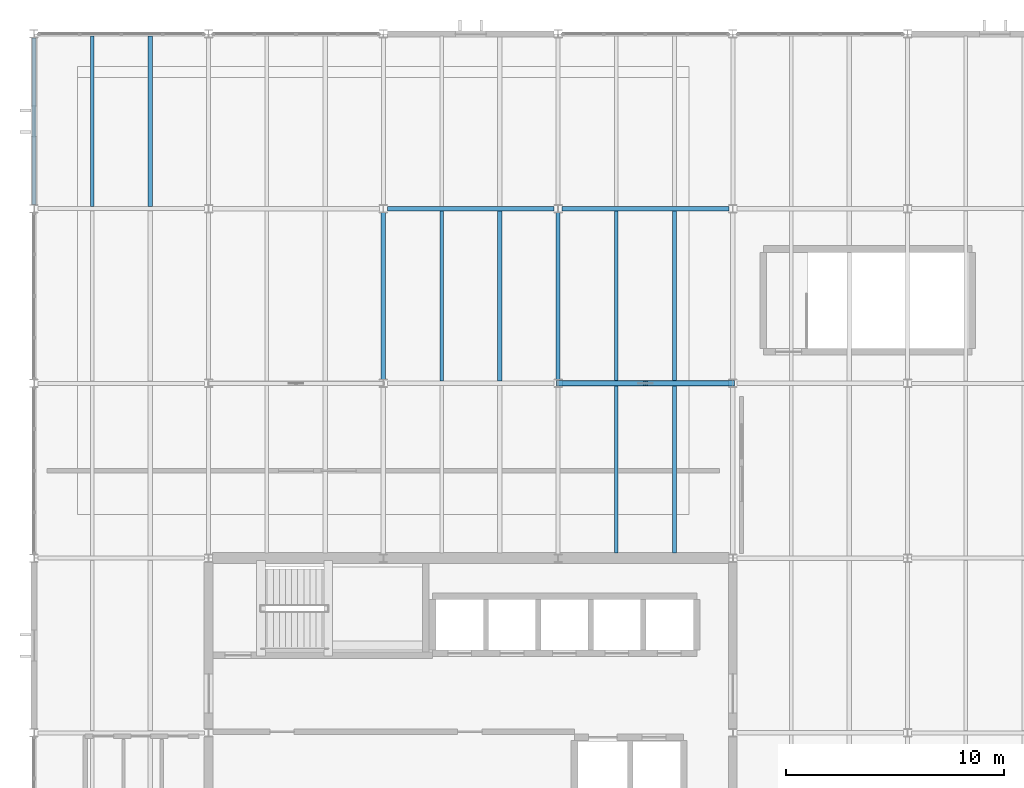
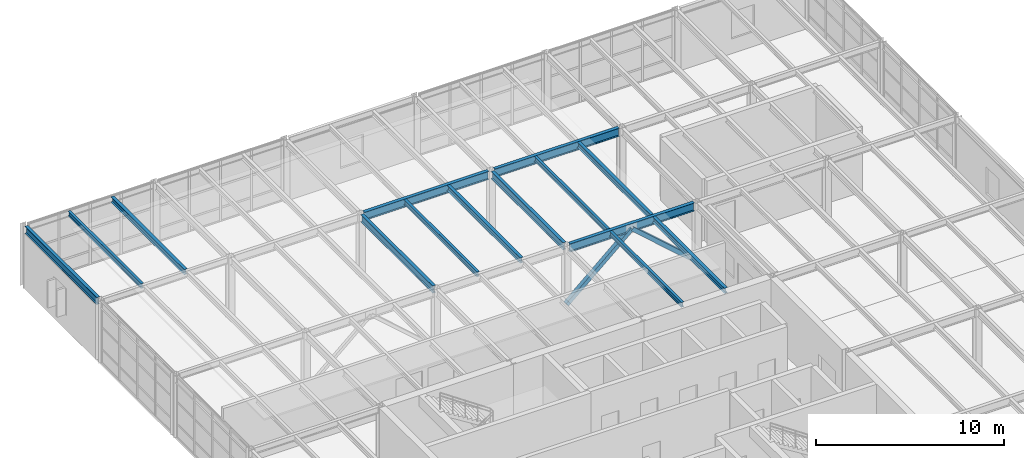
# One storey, part 13 of 34: 14 beams, 2 members.
"""IFC4 building model written with IfcOpenShell, lengths in metres."""

from ifc_helpers import new_model, si_unit, direction, frame, origin, origin_2d, place, context, subcontext, project, spatial, hollow_rectangle, i_section, extrude, material, material_profile, profile_set, type_object, element, save


model = new_model("IFC4")

# Units and contexts
model_context = context("Model", 3, precision=1e-05, world=origin(), true_north=direction((0.0, 1.0)))
body_context = subcontext(model_context, "Body", "Model", "MODEL_VIEW")
ifc_project = project(units=[si_unit("LENGTHUNIT", "METRE"), si_unit("AREAUNIT", "SQUARE_METRE"), si_unit("VOLUMEUNIT", "CUBIC_METRE"), si_unit("PLANEANGLEUNIT", "RADIAN"), si_unit("MASSUNIT", "GRAM", prefix="KILO")], contexts=[model_context])

# Site, building, storey
site_placement = place(None, origin())
site = spatial("IfcSite", under=ifc_project, at=site_placement, CompositionType="ELEMENT")
building_placement = place(site_placement, origin())
building = spatial("IfcBuilding", under=site, at=building_placement, Name="Varnela Railside Interchange", CompositionType="ELEMENT")
storey_placement = place(building_placement, frame((0.0, 0.0, 19.60009765625)))
storey = spatial("IfcBuildingStorey", under=building, at=storey_placement, Name="L04", CompositionType="ELEMENT", Elevation=19.60009765625)

# Beams
ifc_material = material(Name="Steel AR 350 (350 MPa)", Category="steel")
ifc_material_profile_1 = material_profile(ifc_material, i_section(OverallWidth=0.1650390625, OverallDepth=0.31005859375, WebThickness=0.005859375, FlangeThickness=0.009765625, at=origin_2d()), Name="W310x38.7")
ifc_profile_set_1 = profile_set([ifc_material_profile_1], Name="Steel AR 350 (350 MPa)")
beam_type_1 = type_object("IfcBeamType", Name="Composite Floor Joist J-04", PredefinedType="JOIST", material=ifc_profile_set_1)
for number, where, z_axis, x_axis, name in (
    (1, (6.669921875, 86.1044921875, 3.864990234375), (0.0, 1.0, 0.0), (-1.0, 0.0, 0.0), "Composite Floor Joist J-04 (L04) (BM-2366)"),
    (2, (22.669921875, 78.1044921875, 3.864990234375), (0.0, 1.0, 0.0), (-1.0, 0.0, 0.0), "Composite Floor Joist J-04 (L04) (BM-2392)"),
):
    element("IfcBeam", number, at=place(storey_placement, frame(where, z_axis=z_axis, x_axis=x_axis)), inside=storey, type_object=beam_type_1, Name=name, PredefinedType="JOIST", context=body_context, shape_type="SweptSolid", body=[
        extrude(i_section(OverallWidth=0.1650390625, OverallDepth=0.31005859375, WebThickness=0.005859375, FlangeThickness=0.009765625, at=origin_2d()), origin(), (0.0, 0.0, 1.0), 7.791015625),
    ])
beam_1_placement = place(storey_placement, frame((30.669921875, 70.239990234375, 3.864990234375), z_axis=(0.0, 1.0, 0.0), x_axis=(-1.0, 0.0, 0.0)))
element("IfcBeam", 3, at=beam_1_placement, inside=storey, type_object=beam_type_1, Name="Composite Floor Joist J-04 (L04) (BM-2398)", PredefinedType="JOIST", context=body_context, shape_type="SweptSolid", body=[
    extrude(i_section(OverallWidth=0.1650390625, OverallDepth=0.31005859375, WebThickness=0.005859375, FlangeThickness=0.009765625, at=origin_2d()), origin(), (0.0, 0.0, 1.0), 7.655517578125),
])
beam_2_placement = place(storey_placement, frame((30.669921875, 78.1044921875, 3.864990234375), z_axis=(0.0, 1.0, 0.0), x_axis=(-1.0, 0.0, 0.0)))
element("IfcBeam", 4, at=beam_2_placement, inside=storey, type_object=beam_type_1, Name="Composite Floor Joist J-04 (L04) (BM-2400)", PredefinedType="JOIST", context=body_context, shape_type="SweptSolid", body=[
    extrude(i_section(OverallWidth=0.1650390625, OverallDepth=0.31005859375, WebThickness=0.005859375, FlangeThickness=0.009765625, at=origin_2d()), origin(), (0.0, 0.0, 1.0), 7.791015625),
])
ifc_material_profile_2 = material_profile(ifc_material, i_section(OverallWidth=0.208984375, OverallDepth=0.532958984375, WebThickness=0.01025390625, FlangeThickness=0.015625, at=origin_2d()), Name="W530x92")
ifc_profile_set_2 = profile_set([ifc_material_profile_2], Name="Steel AR 350 (350 MPa)")
beam_type_2 = type_object("IfcBeamType", Name="Composite Girder B-18", PredefinedType="BEAM", material=ifc_profile_set_2)
for number, where, z_axis, x_axis, name in (
    (5, (28.18505859375, 78.0, 3.75341796875), (1.0, 0.0, 0.0), (0.0, 1.0, 0.0), "Composite Girder B-18 (L04) (BM-2455)"),
    (6, (20.18505859375, 86.0, 3.75341796875), (1.0, 0.0, 0.0), (0.0, 1.0, 0.0), "Composite Girder B-18 (L04) (BM-2463)"),
    (7, (28.18505859375, 86.0, 3.75341796875), (1.0, 0.0, 0.0), (0.0, 1.0, 0.0), "Composite Girder B-18 (L04) (BM-2464)"),
):
    element("IfcBeam", number, at=place(storey_placement, frame(where, z_axis=z_axis, x_axis=x_axis)), inside=storey, type_object=beam_type_2, Name=name, PredefinedType="BEAM", context=body_context, shape_type="SweptSolid", body=[
        extrude(i_section(OverallWidth=0.208984375, OverallDepth=0.532958984375, WebThickness=0.01025390625, FlangeThickness=0.015625, at=origin_2d()), origin(), (0.0, 0.0, 1.0), 7.6298828125),
    ])
ifc_material_profile_3 = material_profile(ifc_material, i_section(OverallWidth=0.202880859375, OverallDepth=0.346923828125, WebThickness=0.0078125, FlangeThickness=0.013427734375, at=origin_2d()), Name="W360x64")
ifc_profile_set_3 = profile_set([ifc_material_profile_3], Name="Steel AR 350 (350 MPa)")
beam_type_3 = type_object("IfcBeamType", Name="Composite Heavy Joist J-01", PredefinedType="JOIST", material=ifc_profile_set_3)
for number, where, z_axis, x_axis, name in (
    (8, (9.330078125, 86.1044921875, 3.846435546875), (0.0, 1.0, 0.0), (-1.0, 0.0, 0.0), "Composite Heavy Joist J-01 (L04) (BM-2367)"),
    (9, (25.330078125, 78.1044921875, 3.846435546875), (0.0, 1.0, 0.0), (-1.0, 0.0, 0.0), "Composite Heavy Joist J-01 (L04) (BM-2393)"),
):
    element("IfcBeam", number, at=place(storey_placement, frame(where, z_axis=z_axis, x_axis=x_axis)), inside=storey, type_object=beam_type_3, Name=name, PredefinedType="JOIST", context=body_context, shape_type="SweptSolid", body=[
        extrude(i_section(OverallWidth=0.202880859375, OverallDepth=0.346923828125, WebThickness=0.0078125, FlangeThickness=0.013427734375, at=origin_2d()), origin(), (0.0, 0.0, 1.0), 7.791015625),
    ])
beam_3_placement = place(storey_placement, frame((33.330078125, 70.239990234375, 3.846435546875), z_axis=(0.0, 1.0, 0.0), x_axis=(-1.0, 0.0, 0.0)))
element("IfcBeam", 10, at=beam_3_placement, inside=storey, type_object=beam_type_3, Name="Composite Heavy Joist J-01 (L04) (BM-2399)", PredefinedType="JOIST", context=body_context, shape_type="SweptSolid", body=[
    extrude(i_section(OverallWidth=0.202880859375, OverallDepth=0.346923828125, WebThickness=0.0078125, FlangeThickness=0.013427734375, at=origin_2d()), origin(), (0.0, 0.0, 1.0), 7.655517578125),
])
beam_4_placement = place(storey_placement, frame((33.330078125, 78.1044921875, 3.846435546875), z_axis=(0.0, 1.0, 0.0), x_axis=(-1.0, 0.0, 0.0)))
element("IfcBeam", 11, at=beam_4_placement, inside=storey, type_object=beam_type_3, Name="Composite Heavy Joist J-01 (L04) (BM-2401)", PredefinedType="JOIST", context=body_context, shape_type="SweptSolid", body=[
    extrude(i_section(OverallWidth=0.202880859375, OverallDepth=0.346923828125, WebThickness=0.0078125, FlangeThickness=0.013427734375, at=origin_2d()), origin(), (0.0, 0.0, 1.0), 7.791015625),
])
ifc_material_profile_4 = material_profile(ifc_material, i_section(OverallWidth=0.194091796875, OverallDepth=0.468994140625, WebThickness=0.0126953125, FlangeThickness=0.0205078125, at=origin_2d()), Name="W460x106")
ifc_profile_set_4 = profile_set([ifc_material_profile_4], Name="Steel AR 350 (350 MPa)")
beam_type_4 = type_object("IfcBeamType", Name="Composite Primary Beam B-19", PredefinedType="BEAM", material=ifc_profile_set_4)
for number, where, z_axis, x_axis, name in (
    (12, (20.0, 78.179931640625, 3.785400390625), (0.0, 1.0, 0.0), (-1.0, 0.0, 0.0), "Composite Primary Beam B-19 (L04) (BM-2509)"),
    (13, (28.0, 78.179931640625, 3.785400390625), (0.0, 1.0, 0.0), (-1.0, 0.0, 0.0), "Composite Primary Beam B-19 (L04) (BM-2513)"),
):
    element("IfcBeam", number, at=place(storey_placement, frame(where, z_axis=z_axis, x_axis=x_axis)), inside=storey, type_object=beam_type_4, Name=name, PredefinedType="BEAM", context=body_context, shape_type="SweptSolid", body=[
        extrude(i_section(OverallWidth=0.194091796875, OverallDepth=0.468994140625, WebThickness=0.0126953125, FlangeThickness=0.0205078125, at=origin_2d()), origin(), (0.0, 0.0, 1.0), 7.64013671875),
    ])

# Members
ifc_material_profile_5 = material_profile(ifc_material, hollow_rectangle(XDim=0.25, YDim=0.25, WallThickness=0.012451171875, at=origin_2d()), Name="HSS 250x250x12.5")
ifc_profile_set_5 = profile_set([ifc_material_profile_5], Name="Steel AR 350 (350 MPa)")
member_type = type_object("IfcMemberType", Name="Lateral Chevron Brace BR-04", PredefinedType="BRACE", material=ifc_profile_set_5)
for number, where, z_axis, x_axis, name in (
    (14, (28.0, 78.0, 0.14990234375), (0.750711699002, 0.0, 0.660629960706), (0.0, 1.0, 0.0), "Lateral Chevron Brace BR-04 (L04) (MB-0164)"),
    (15, (36.0, 78.0, 0.14990234375), (-0.750711699002, 0.0, 0.660629960706), (0.0, -1.0, 0.0), "Lateral Chevron Brace BR-04 (L04) (MB-0165)"),
):
    element("IfcMember", number, at=place(storey_placement, frame(where, z_axis=z_axis, x_axis=x_axis)), inside=storey, type_object=member_type, Name=name, PredefinedType="BRACE", context=body_context, shape_type="SweptSolid", body=[
        extrude(hollow_rectangle(XDim=0.25, YDim=0.25, WallThickness=0.012451171875, at=origin_2d()), origin(), (0.0, 0.0, 1.0), 5.328369140625),
    ])

# Beam
ifc_material_profile_6 = material_profile(ifc_material, i_section(OverallWidth=0.19091796875, OverallDepth=0.4599609375, WebThickness=0.010009765625, FlangeThickness=0.01611328125, at=origin_2d()), Name="W460x82")
ifc_profile_set_6 = profile_set([ifc_material_profile_6], Name="Steel AR 350 (350 MPa)")
beam_type_5 = type_object("IfcBeamType", Name="Steel Perimeter Spandrel SP-01", PredefinedType="SPANDREL", material=ifc_profile_set_6)
beam_5_placement = place(storey_placement, frame((4.0, 86.179931640625, 3.789794921875), z_axis=(0.0, 1.0, 0.0), x_axis=(-1.0, 0.0, 0.0)))
element("IfcBeam", 16, at=beam_5_placement, inside=storey, type_object=beam_type_5, Name="Steel Perimeter Spandrel SP-01 (L04) (BM-2502)", PredefinedType="SPANDREL", context=body_context, shape_type="SweptSolid", body=[
    extrude(i_section(OverallWidth=0.19091796875, OverallDepth=0.4599609375, WebThickness=0.010009765625, FlangeThickness=0.01611328125, at=origin_2d()), origin(), (0.0, 0.0, 1.0), 7.64013671875),
])

save(model, "model.ifc")
